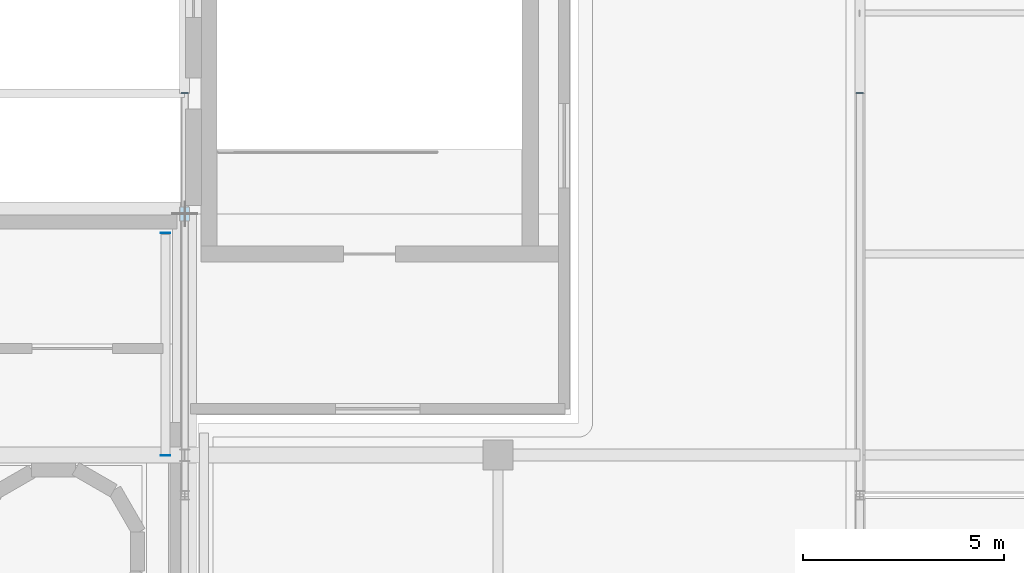
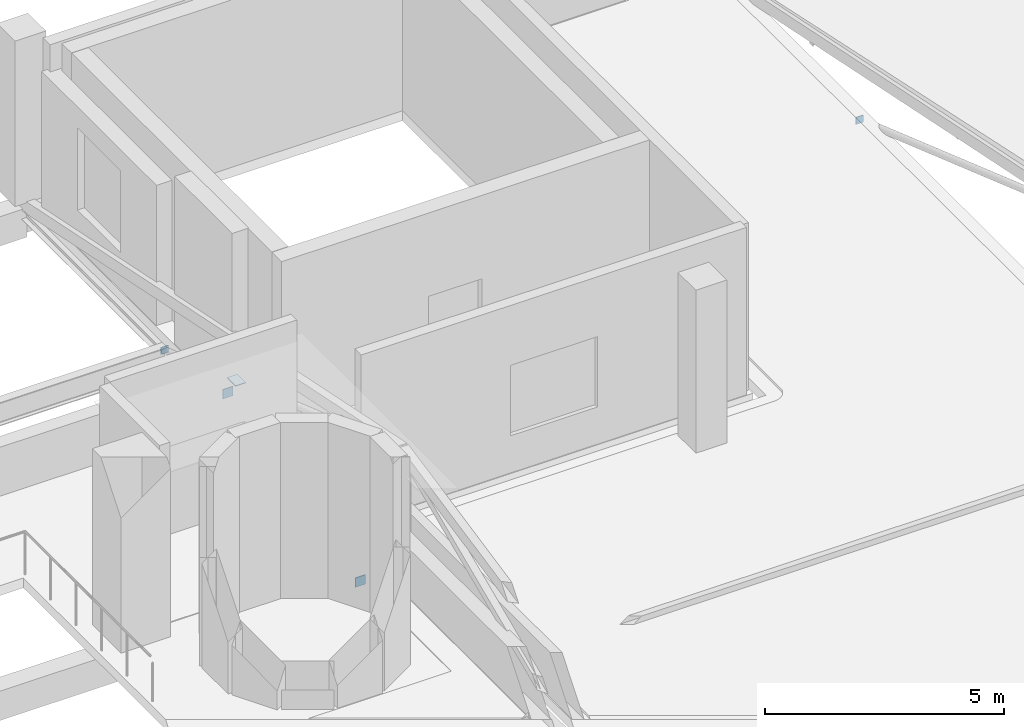
# One storey, part 68 of 85: 5 plates.
"""IFC4 building model written with IfcOpenShell, lengths in metres."""

from ifc_helpers import new_model, si_unit, derived_unit, direction, frame, origin, origin_2d, place, context, subcontext, project, spatial, rectangle, extrude, material, layer, layer_set, type_object, element, save


model = new_model("IFC4")

# Units and contexts
model_context = context("Model", 3, precision=1e-05, world=origin(), true_north=direction((0.0, 1.0)))
body_context = subcontext(model_context, "Body", "Model", "MODEL_VIEW")
ifc_project = project(units=[si_unit("LENGTHUNIT", "METRE"), si_unit("AREAUNIT", "SQUARE_METRE"), si_unit("VOLUMEUNIT", "CUBIC_METRE"), si_unit("PLANEANGLEUNIT", "RADIAN"), si_unit("MASSUNIT", "GRAM", prefix="KILO"), derived_unit("THERMALTRANSMITTANCEUNIT", [(si_unit("POWERUNIT", "WATT"), 1), (si_unit("LENGTHUNIT", "METRE"), -2), (si_unit("THERMODYNAMICTEMPERATUREUNIT", "KELVIN"), -1)])], contexts=[model_context])

# Site, building, storey
site_placement = place(None, origin())
site = spatial("IfcSite", under=ifc_project, at=site_placement, CompositionType="ELEMENT")
building_placement = place(site_placement, origin())
building = spatial("IfcBuilding", under=site, at=building_placement, Name="Nallur Shell Playhouse", CompositionType="ELEMENT")
storey_placement = place(building_placement, frame((0.0, 0.0, 19.800048828125)))
storey = spatial("IfcBuildingStorey", under=building, at=storey_placement, Name="L05", CompositionType="ELEMENT", Elevation=19.800048828125)

# Plates
ifc_material = material(Name="Steel E350", Category="steel")
ifc_layer = layer(ifc_material, 0.02001953125)
ifc_layer_set = layer_set([ifc_layer], Name="Steel E350")
plate_type = type_object("IfcPlateType", Name="PT-ENDCAP-20", PredefinedType="SHEET", material=ifc_layer_set)
plate_placement = place(storey_placement, frame((118.60009765625, 47.0, 0.64990234375), z_axis=(0.0, 0.0, 1.0), x_axis=(1.0, 0.0, 0.0)))
element("IfcPlate", 1, at=plate_placement, inside=storey, type_object=plate_type, Name="Hollow end cap EC-POST-GB-L05-11", PredefinedType="SHEET", context=body_context, shape_type="SweptSolid", body=[
    extrude(rectangle(XDim=0.25, YDim=0.35009765625, at=origin_2d()), origin(), (0.0, 0.0, 1.0), 0.02001953125),
])
for number, where, z_axis, x_axis, name in (
    (2, (118.1201171875, 40.990234375, -0.7724609375), (0.0, 0.0, 1.0), (1.0, 0.0, 0.0), "Hollow end cap EC-GBD-L05-4-A"),
    (3, (118.1201171875, 46.52978515625, 0.6826171875), (0.0, 0.0, 1.0), (1.0, 0.0, 0.0), "Hollow end cap EC-GBD-L05-4-B"),
):
    element("IfcPlate", number, at=place(storey_placement, frame(where, z_axis=z_axis, x_axis=x_axis)), inside=storey, type_object=plate_type, Name=name, PredefinedType="SHEET", context=body_context, shape_type="SweptSolid", body=[
        extrude(rectangle(XDim=0.239990234375, YDim=0.02001953125, at=origin_2d()), origin(), (0.0, 0.0, 1.0), 0.239990234375),
    ])
for number, where, z_axis, x_axis, name in (
    (4, (118.60009765625, 50.010009765625, -0.47119140625), (0.0, 0.0, 1.0), (1.0, 0.0, 0.0), "Hollow end cap EC-TRST-1186-2"),
    (5, (135.39990234375, 50.010009765625, -0.47119140625), (0.0, 0.0, 1.0), (1.0, 0.0, 0.0), "Hollow end cap EC-TRST-1354-2"),
):
    element("IfcPlate", number, at=place(storey_placement, frame(where, z_axis=z_axis, x_axis=x_axis)), inside=storey, type_object=plate_type, Name=name, PredefinedType="SHEET", context=body_context, shape_type="SweptSolid", body=[
        extrude(rectangle(XDim=0.179931640625, YDim=0.02001953125, at=origin_2d()), origin(), (0.0, 0.0, 1.0), 0.179931640625),
    ])

save(model, "model.ifc")
